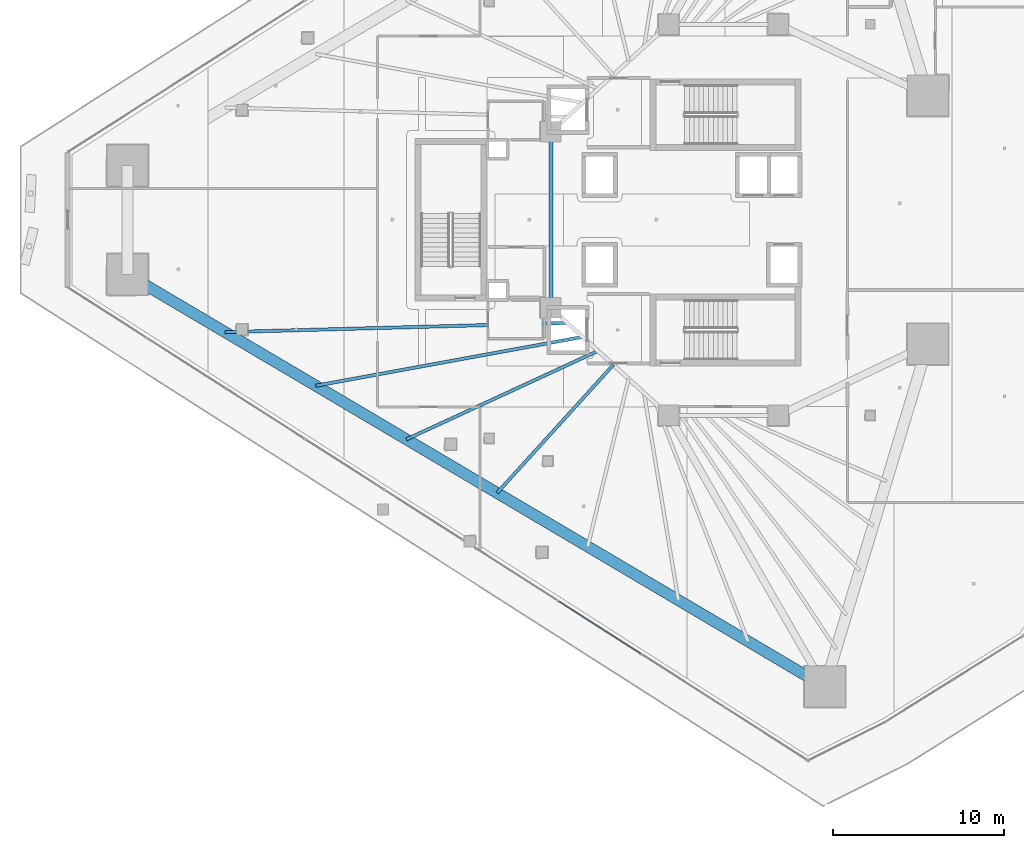
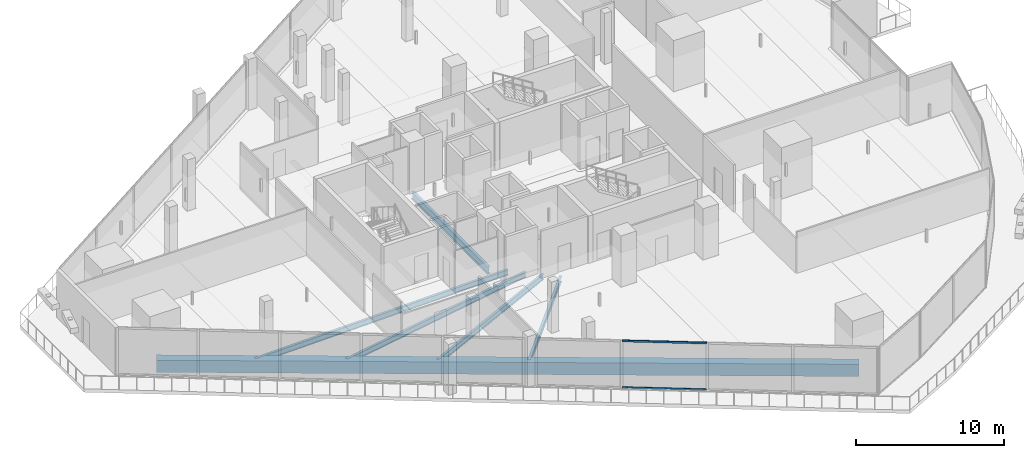
# One storey, part 6 of 45: 6 beams, 2 members, 1 element without a shape of its own.
"""IFC4 building model written with IfcOpenShell, lengths in metres."""

from ifc_helpers import new_model, si_unit, direction, frame, origin, origin_2d, place, context, subcontext, project, spatial, rectangle, hollow_rectangle, i_section, extrude, material, layer, layer_set, material_profile, profile_set, type_object, element, aggregate, save


model = new_model("IFC4")

# Units and contexts
model_context = context("Model", 3, precision=1e-05, world=origin(), true_north=direction((0.0, 1.0)))
body_context = subcontext(model_context, "Body", "Model", "MODEL_VIEW")
ifc_project = project(units=[si_unit("LENGTHUNIT", "METRE"), si_unit("AREAUNIT", "SQUARE_METRE"), si_unit("VOLUMEUNIT", "CUBIC_METRE"), si_unit("PLANEANGLEUNIT", "RADIAN"), si_unit("MASSUNIT", "GRAM", prefix="KILO")], contexts=[model_context])

# Site, building, storey
site_placement = place(None, origin())
site = spatial("IfcSite", under=ifc_project, at=site_placement, CompositionType="ELEMENT")
building_placement = place(site_placement, origin())
building = spatial("IfcBuilding", under=site, at=building_placement, Name="Qorvath Tower", CompositionType="ELEMENT")
storey_placement = place(building_placement, frame((0.0, 0.0, 95.39990234375)))
storey = spatial("IfcBuildingStorey", under=building, at=storey_placement, Name="L21", CompositionType="ELEMENT", Elevation=95.39990234375)

# Beams
ifc_material_1 = material(Name="Steel ASTM A992 Grade 50", Category="steel")
ifc_material_profile_1 = material_profile(ifc_material_1, i_section(OverallWidth=0.22998046875, OverallDepth=0.616943359375, WebThickness=0.01318359375, FlangeThickness=0.022216796875, FilletRadius=0.014892578125, at=origin_2d()), Name="W24x94")
ifc_profile_set_1 = profile_set([ifc_material_profile_1], Name="Steel ASTM A992 Grade 50")
beam_type_1 = type_object("IfcBeamType", Name="BM-FG6", PredefinedType="BEAM", material=ifc_profile_set_1)
beam_1_placement = place(storey_placement, frame((-30.5, -5.14990234375, -0.58837890625), z_axis=(0.0, 1.0, 0.0), x_axis=(-1.0, 0.0, 0.0)))
element("IfcBeam", 1, at=beam_1_placement, inside=storey, type_object=beam_type_1, Name="Core Ring Girder CC6-CC5 L21", PredefinedType="BEAM", context=body_context, shape_type="SweptSolid", body=[
    extrude(i_section(OverallWidth=0.22998046875, OverallDepth=0.616943359375, WebThickness=0.01318359375, FlangeThickness=0.022216796875, FilletRadius=0.014892578125, at=origin_2d()), origin(), (0.0, 0.0, 1.0), 10.2998046875),
])
ifc_material_2 = material(Name="Steel ASTM A992 Grade 50", Category="steel")
ifc_material_profile_2 = material_profile(ifc_material_2, i_section(OverallWidth=0.18994140625, OverallDepth=0.45703125, WebThickness=0.009033203125, FlangeThickness=0.014404296875, FilletRadius=0.011962890625, at=origin_2d()), Name="W18x50")
ifc_profile_set_2 = profile_set([ifc_material_profile_2], Name="Steel ASTM A992 Grade 50")
beam_type_2 = type_object("IfcBeamType", Name="BM-FJ2", PredefinedType="JOIST", material=ifc_profile_set_2)
beam_2_placement = place(storey_placement, frame((-29.533935546875, -6.031982421875, -0.50830078125), z_axis=(-0.999634925413, -0.02701880631, 0.0), x_axis=(0.02701880631, -0.999634925413, 0.0)))
element("IfcBeam", 2, at=beam_2_placement, inside=storey, type_object=beam_type_2, Name="Composite Floor Joist SW1 L21", PredefinedType="JOIST", context=body_context, shape_type="SweptSolid", body=[
    extrude(i_section(OverallWidth=0.18994140625, OverallDepth=0.45703125, WebThickness=0.009033203125, FlangeThickness=0.014404296875, FilletRadius=0.011962890625, at=origin_2d()), origin(), (0.0, 0.0, 1.0), 20.041748046875),
])
beam_3_placement = place(storey_placement, frame((-28.636962890625, -6.85107421875, -0.50830078125), z_axis=(-0.983656498786, -0.180055248176, 0.0), x_axis=(0.180055248176, -0.983656498786, 0.0)))
element("IfcBeam", 3, at=beam_3_placement, inside=storey, type_object=beam_type_2, Name="Composite Floor Joist SW2 L21", PredefinedType="JOIST", context=body_context, shape_type="SweptSolid", body=[
    extrude(i_section(OverallWidth=0.18994140625, OverallDepth=0.45703125, WebThickness=0.009033203125, FlangeThickness=0.014404296875, FilletRadius=0.011962890625, at=origin_2d()), origin(), (0.0, 0.0, 1.0), 15.884521484375),
])
beam_4_placement = place(storey_placement, frame((-27.739990234375, -7.669921875, -0.50830078125), z_axis=(-0.907881281747, -0.419227358665, 0.0), x_axis=(0.419227358665, -0.907881281747, 0.0)))
element("IfcBeam", 4, at=beam_4_placement, inside=storey, type_object=beam_type_2, Name="Composite Floor Joist SW3 L21", PredefinedType="JOIST", context=body_context, shape_type="SweptSolid", body=[
    extrude(i_section(OverallWidth=0.18994140625, OverallDepth=0.45703125, WebThickness=0.009033203125, FlangeThickness=0.014404296875, FilletRadius=0.011962890625, at=origin_2d()), origin(), (0.0, 0.0, 1.0), 12.353515625),
])
beam_5_placement = place(storey_placement, frame((-26.843017578125, -8.489013671875, -0.50830078125), z_axis=(-0.672128980215, -0.740434084815, 0.0), x_axis=(0.740434084815, -0.672128980215, 0.0)))
element("IfcBeam", 5, at=beam_5_placement, inside=storey, type_object=beam_type_2, Name="Composite Floor Joist SW4 L21", PredefinedType="JOIST", context=body_context, shape_type="SweptSolid", body=[
    extrude(i_section(OverallWidth=0.18994140625, OverallDepth=0.45703125, WebThickness=0.009033203125, FlangeThickness=0.014404296875, FilletRadius=0.011962890625, at=origin_2d()), origin(), (0.0, 0.0, 1.0), 10.1259765625),
])
ifc_material_3 = material(Name="Concrete C50/60", Category="concrete")
ifc_material_profile_3 = material_profile(ifc_material_3, rectangle(XDim=0.64990234375, YDim=1.0, at=origin_2d()), Name="RCB 1000x650")
ifc_profile_set_3 = profile_set([ifc_material_profile_3], Name="Concrete C50/60")
beam_type_3 = type_object("IfcBeamType", Name="BM-RCB1", PredefinedType="SPANDREL", material=ifc_profile_set_3)
beam_6_placement = place(storey_placement, frame((-55.282958984375, -3.194580078125, -0.77978515625), z_axis=(0.860777360917, -0.508981664633, 0.0), x_axis=(0.508981664633, 0.860777360917, 0.0)))
element("IfcBeam", 6, at=beam_6_placement, inside=storey, type_object=beam_type_3, Name="Perimeter Loggia Frame Beam MC2-MC3 L21", PredefinedType="SPANDREL", context=body_context, shape_type="SweptSolid", body=[
    extrude(rectangle(XDim=0.64990234375, YDim=1.0, at=origin_2d()), origin(), (0.0, 0.0, 1.0), 47.420654296875),
])

# Curtain wall, members
ifc_material_4 = material(Name="Anodised aluminium and triple low-E glass", Category="aluminium")
ifc_layer = layer(ifc_material_4, 0.179931640625)
ifc_layer_set = layer_set([ifc_layer], Name="CW-SYS-2")
curtain_wall_type = type_object("IfcCurtainWallType", Name="CW-SYS-2", PredefinedType="NOTDEFINED", material=ifc_layer_set)
curtain_wall_placement = place(storey_placement, origin())
curtain_wall = element("IfcCurtainWall", 7, at=curtain_wall_placement, inside=storey, type_object=curtain_wall_type, Name="Curtain Wall CW-2 CW-T-L21-2.2", PredefinedType="NOTDEFINED")
ifc_material_5 = material(Name="Anodised aluminium 6063-T6", Category="aluminium")
ifc_material_profile_4 = material_profile(ifc_material_5, hollow_rectangle(XDim=0.06494140625, YDim=0.159912109375, WallThickness=0.00341796875, InnerFilletRadius=0.00341796875, OuterFilletRadius=0.007080078125, at=origin_2d()), Name="CWT 160x65")
ifc_profile_set_4 = profile_set([ifc_material_profile_4], Name="Anodised aluminium 6063-T6")
member_type = type_object("IfcMemberType", Name="CWT-160", PredefinedType="USERDEFINED", material=ifc_profile_set_4)
member_1_placement = place(storey_placement, frame((-30.04345703125, -22.33251953125, 0.032470703125), z_axis=(0.842603738869, -0.538534065072, 0.0), x_axis=(0.538534065072, 0.842603738869, 0.0)))
member_1 = element("IfcMember", 8, at=member_1_placement, type_object=member_type, Name="CW-2 transom 2.1", ObjectType="TRANSOM", PredefinedType="USERDEFINED", context=body_context, shape_type="SweptSolid", body=[
    extrude(hollow_rectangle(XDim=0.06494140625, YDim=0.159912109375, WallThickness=0.00341796875, InnerFilletRadius=0.00341796875, OuterFilletRadius=0.007080078125, at=origin_2d()), origin(), (0.0, 0.0, 1.0), 5.720703125),
])
member_2_placement = place(storey_placement, frame((-30.04345703125, -22.33251953125, 3.86767578125), z_axis=(0.842603738869, -0.538534065072, 0.0), x_axis=(0.538534065072, 0.842603738869, 0.0)))
member_2 = element("IfcMember", 9, at=member_2_placement, type_object=member_type, Name="CW-2 transom 2.2", ObjectType="TRANSOM", PredefinedType="USERDEFINED", context=body_context, shape_type="SweptSolid", body=[
    extrude(hollow_rectangle(XDim=0.06494140625, YDim=0.159912109375, WallThickness=0.00341796875, InnerFilletRadius=0.00341796875, OuterFilletRadius=0.007080078125, at=origin_2d()), origin(), (0.0, 0.0, 1.0), 5.720703125),
])
aggregate(curtain_wall, [member_1, member_2])

save(model, "model.ifc")
